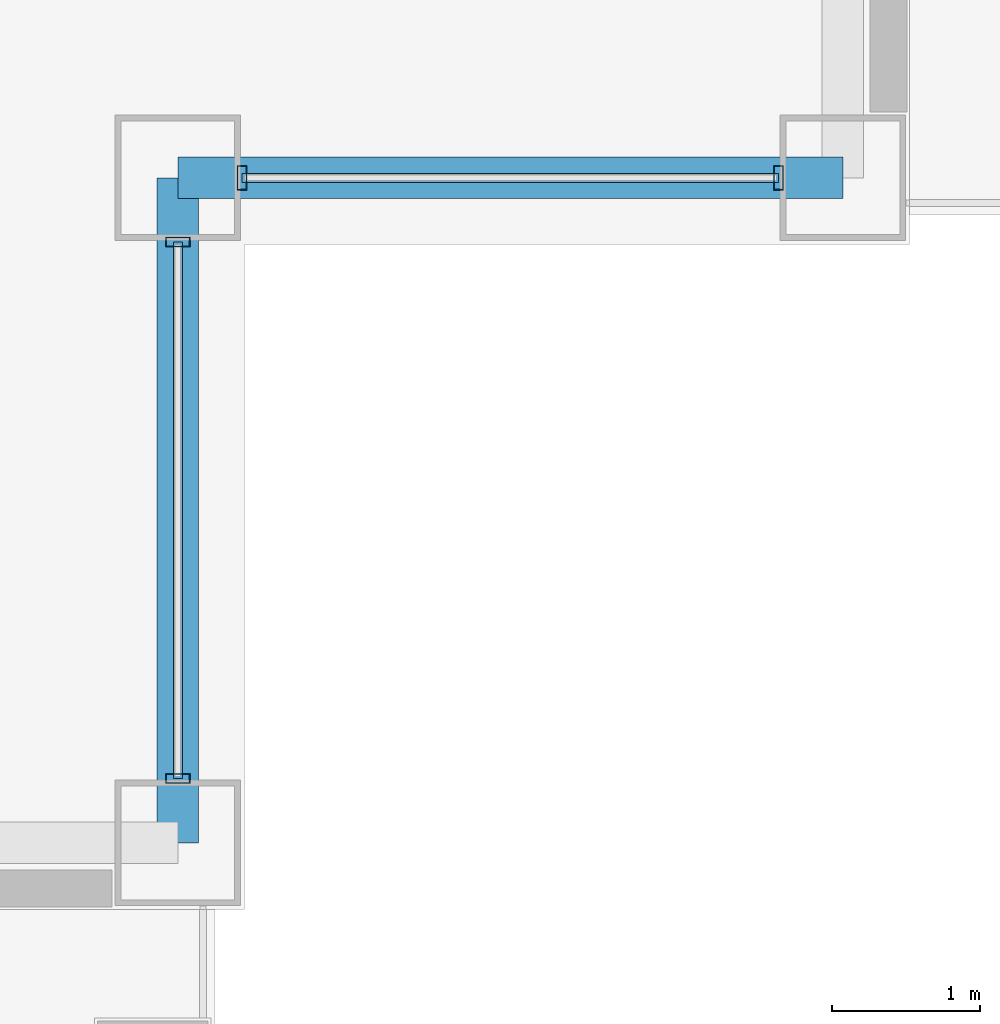
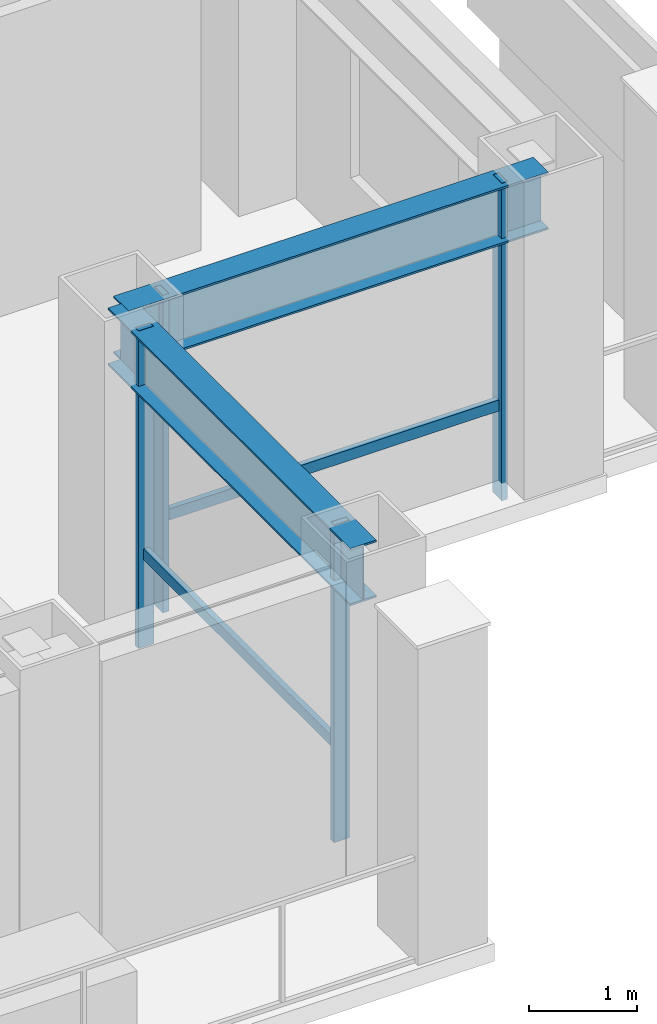
# One storey, part 14 of 34: 6 members, 2 beams, 2 elements without a shape of their own.
"""IFC4 building model written with IfcOpenShell, lengths in metres."""

from ifc_helpers import new_model, si_unit, direction, frame, origin, origin_2d, place, context, subcontext, project, spatial, hollow_rectangle, i_section, extrude, material, layer, layer_set, material_profile, profile_set, type_object, element, aggregate, save


model = new_model("IFC4")

# Units and contexts
model_context = context("Model", 3, precision=1e-05, world=origin(), true_north=direction((0.0, 1.0)))
body_context = subcontext(model_context, "Body", "Model", "MODEL_VIEW")
ifc_project = project(units=[si_unit("LENGTHUNIT", "METRE"), si_unit("AREAUNIT", "SQUARE_METRE"), si_unit("VOLUMEUNIT", "CUBIC_METRE"), si_unit("PLANEANGLEUNIT", "RADIAN"), si_unit("MASSUNIT", "GRAM", prefix="KILO")], contexts=[model_context])

# Site, building, storey
site_placement = place(None, origin())
site = spatial("IfcSite", under=ifc_project, at=site_placement, CompositionType="ELEMENT")
building_placement = place(site_placement, origin())
building = spatial("IfcBuilding", under=site, at=building_placement, Name="Brelmoor Portico Tower", CompositionType="ELEMENT")
storey_placement = place(building_placement, frame((0.0, 0.0, 99.0)))
storey = spatial("IfcBuildingStorey", under=building, at=storey_placement, Name="L25", CompositionType="ELEMENT", Elevation=99.0)

# Beams
ifc_material_1 = material(Name="Steel Q355B", Category="steel")
ifc_material_profile_1 = material_profile(ifc_material_1, i_section(OverallWidth=0.280029296875, OverallDepth=0.64990234375, WebThickness=0.012939453125, FlangeThickness=0.02197265625, at=origin_2d()), Name="HN 650x280x13x22")
ifc_profile_set_1 = profile_set([ifc_material_profile_1], Name="Steel Q355B")
beam_type = type_object("IfcBeamType", Name="BM-SP-650", PredefinedType="SPANDREL", material=ifc_profile_set_1)
for number, where, z_axis, x_axis, name in (
    (1, (18.050048828125, -15.050048828125, 3.074951171875), (1.0, 0.0, 0.0), (0.0, 1.0, 0.0), "L25 Perimeter Spandrel Beam SP-07"),
    (2, (18.050048828125, -19.550048828125, 3.074951171875), (0.0, 1.0, 0.0), (-1.0, 0.0, 0.0), "L25 Perimeter Spandrel Beam SP-20"),
):
    element("IfcBeam", number, at=place(storey_placement, frame(where, z_axis=z_axis, x_axis=x_axis)), inside=storey, type_object=beam_type, Name=name, PredefinedType="SPANDREL", context=body_context, shape_type="SweptSolid", body=[
        extrude(i_section(OverallWidth=0.280029296875, OverallDepth=0.64990234375, WebThickness=0.012939453125, FlangeThickness=0.02197265625, at=origin_2d()), origin(), (0.0, 0.0, 1.0), 4.5),
    ])

# Curtain wall, members
ifc_material_2 = material(Name="Anodised Aluminium Alloy 6063-T6", Category="aluminium")
ifc_layer = layer(ifc_material_2, 0.179931640625)
ifc_layer_set = layer_set([ifc_layer], Name="Anodised Aluminium Alloy 6063-T6")
curtain_wall_type = type_object("IfcCurtainWallType", Name="CW-NOTCH-CHAMFER", PredefinedType="NOTDEFINED", material=ifc_layer_set)
curtain_wall_1_placement = place(storey_placement, origin())
curtain_wall_1 = element("IfcCurtainWall", 3, at=curtain_wall_1_placement, inside=storey, type_object=curtain_wall_type, Name="L25 Curtain Wall CWN-L25-SEH", PredefinedType="NOTDEFINED")
ifc_material_profile_2 = material_profile(ifc_material_2, hollow_rectangle(XDim=0.06494140625, YDim=0.1650390625, WallThickness=0.00390625, at=origin_2d()), Name="ALU MULLION 65x165")
ifc_profile_set_2 = profile_set([ifc_material_profile_2], Name="Anodised Aluminium Alloy 6063-T6")
member_type_1 = type_object("IfcMemberType", Name="MB-CW-MULL-165", PredefinedType="MULLION", material=ifc_profile_set_2)
member_1_placement = place(storey_placement, frame((18.485107421875, -15.050048828125, -0.199951171875), z_axis=(0.0, 0.0, 1.0), x_axis=(1.0, 0.0, 0.0)))
member_1 = element("IfcMember", 4, at=member_1_placement, type_object=member_type_1, Name="CWN-L25-SEH Mullion 00", PredefinedType="MULLION", context=body_context, shape_type="SweptSolid", body=[
    extrude(hollow_rectangle(XDim=0.06494140625, YDim=0.1650390625, WallThickness=0.00390625, at=origin_2d()), origin(), (0.0, 0.0, 1.0), 3.599853515625),
])
member_2_placement = place(storey_placement, frame((22.114990234375, -15.050048828125, -0.199951171875), z_axis=(0.0, 0.0, 1.0), x_axis=(1.0, 0.0, 0.0)))
member_2 = element("IfcMember", 5, at=member_2_placement, type_object=member_type_1, Name="CWN-L25-SEH Mullion 01", PredefinedType="MULLION", context=body_context, shape_type="SweptSolid", body=[
    extrude(hollow_rectangle(XDim=0.06494140625, YDim=0.1650390625, WallThickness=0.00390625, at=origin_2d()), origin(), (0.0, 0.0, 1.0), 3.599853515625),
])

curtain_wall_2_placement = place(storey_placement, origin())
curtain_wall_2 = element("IfcCurtainWall", 6, at=curtain_wall_2_placement, inside=storey, type_object=curtain_wall_type, Name="L25 Curtain Wall CWN-L25-SEV", PredefinedType="NOTDEFINED")
member_3_placement = place(storey_placement, frame((18.050048828125, -19.114990234375, -0.199951171875), z_axis=(0.0, 0.0, 1.0), x_axis=(0.0, 1.0, 0.0)))
member_3 = element("IfcMember", 7, at=member_3_placement, type_object=member_type_1, Name="CWN-L25-SEV Mullion 00", PredefinedType="MULLION", context=body_context, shape_type="SweptSolid", body=[
    extrude(hollow_rectangle(XDim=0.06494140625, YDim=0.1650390625, WallThickness=0.00390625, at=origin_2d()), origin(), (0.0, 0.0, 1.0), 3.599853515625),
])
member_4_placement = place(storey_placement, frame((18.050048828125, -15.485107421875, -0.199951171875), z_axis=(0.0, 0.0, 1.0), x_axis=(0.0, 1.0, 0.0)))
member_4 = element("IfcMember", 8, at=member_4_placement, type_object=member_type_1, Name="CWN-L25-SEV Mullion 01", PredefinedType="MULLION", context=body_context, shape_type="SweptSolid", body=[
    extrude(hollow_rectangle(XDim=0.06494140625, YDim=0.1650390625, WallThickness=0.00390625, at=origin_2d()), origin(), (0.0, 0.0, 1.0), 3.599853515625),
])

# Member
ifc_material_profile_3 = material_profile(ifc_material_2, hollow_rectangle(XDim=0.06005859375, YDim=0.125, WallThickness=0.00341796875, at=origin_2d()), Name="ALU TRANSOM 60x125")
ifc_profile_set_3 = profile_set([ifc_material_profile_3], Name="Anodised Aluminium Alloy 6063-T6")
member_type_2 = type_object("IfcMemberType", Name="MB-CW-TRAN-125", PredefinedType="USERDEFINED", material=ifc_profile_set_3)
member_5_placement = place(storey_placement, frame((18.485107421875, -15.050048828125, 0.85009765625), z_axis=(1.0, 0.0, 0.0), x_axis=(0.0, 1.0, 0.0)))
member_5 = element("IfcMember", 9, at=member_5_placement, type_object=member_type_2, Name="CWN-L25-SEH Transom 1-00", ObjectType="TRANSOM", PredefinedType="USERDEFINED", context=body_context, shape_type="SweptSolid", body=[
    extrude(hollow_rectangle(XDim=0.06005859375, YDim=0.125, WallThickness=0.00341796875, at=origin_2d()), origin(), (0.0, 0.0, 1.0), 3.6298828125),
])

aggregate(curtain_wall_1, [member_1, member_2, member_5])

member_6_placement = place(storey_placement, frame((18.050048828125, -19.114990234375, 0.85009765625), z_axis=(0.0, 1.0, 0.0), x_axis=(-1.0, 0.0, 0.0)))
member_6 = element("IfcMember", 10, at=member_6_placement, type_object=member_type_2, Name="CWN-L25-SEV Transom 1-00", ObjectType="TRANSOM", PredefinedType="USERDEFINED", context=body_context, shape_type="SweptSolid", body=[
    extrude(hollow_rectangle(XDim=0.06005859375, YDim=0.125, WallThickness=0.00341796875, at=origin_2d()), origin(), (0.0, 0.0, 1.0), 3.6298828125),
])

aggregate(curtain_wall_2, [member_3, member_4, member_6])

save(model, "model.ifc")
